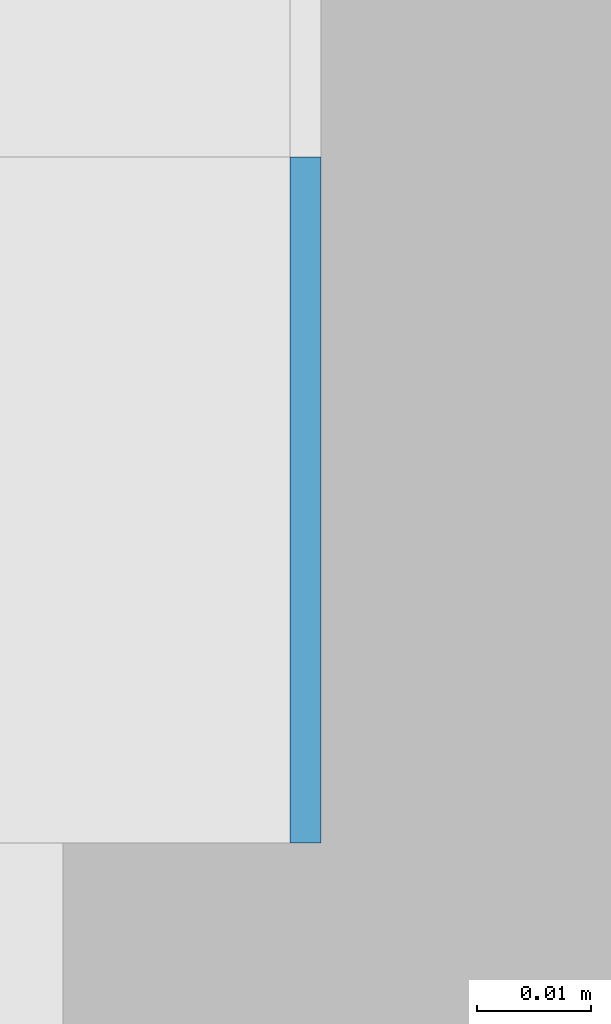
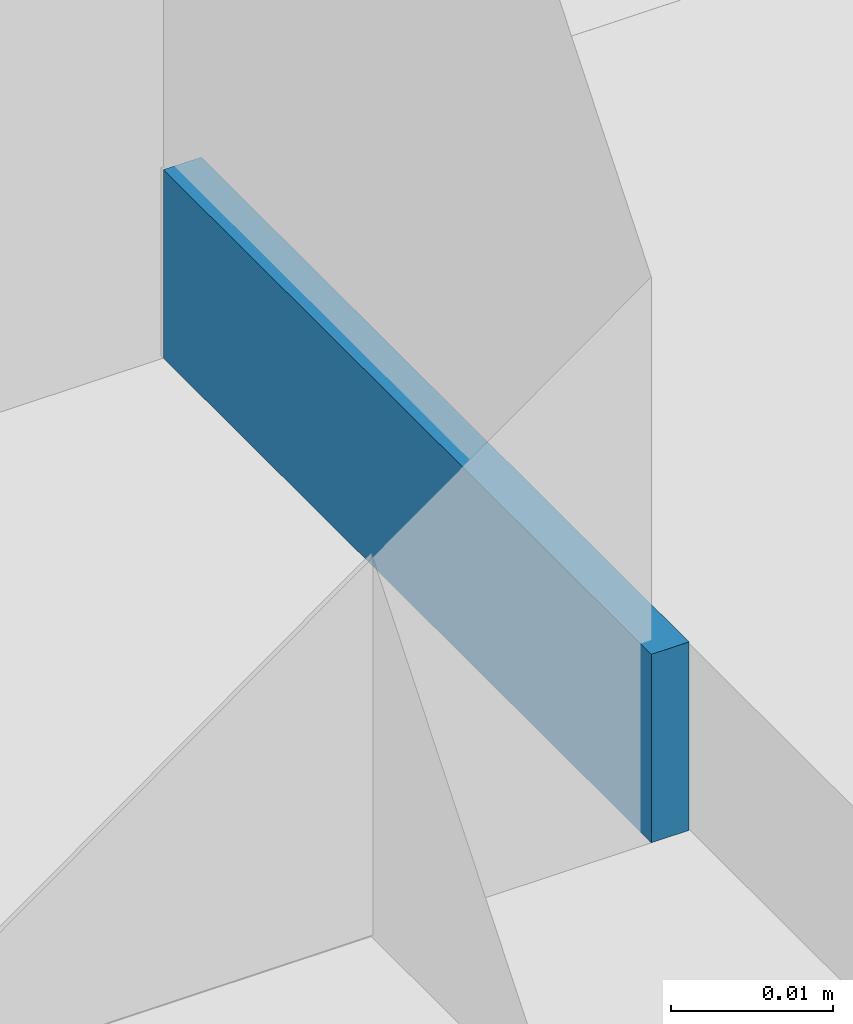
# One storey, part 252 of 646: 1 discrete accessory.
"""IFC4 building model written with IfcOpenShell, lengths in metres."""

from ifc_helpers import new_model, si_unit, direction, frame, origin, origin_2d, place, context, subcontext, project, spatial, rectangle, extrude, material, type_object, element, save


model = new_model("IFC4")

# Units and contexts
model_context = context("Model", 3, precision=1e-05, world=origin(), true_north=direction((0.0, 1.0)))
body_context = subcontext(model_context, "Body", "Model", "MODEL_VIEW")
ifc_project = project(units=[si_unit("LENGTHUNIT", "METRE"), si_unit("AREAUNIT", "SQUARE_METRE"), si_unit("VOLUMEUNIT", "CUBIC_METRE"), si_unit("PLANEANGLEUNIT", "RADIAN"), si_unit("MASSUNIT", "GRAM", prefix="KILO")], contexts=[model_context])

# Site, building, storey
site_placement = place(None, origin())
site = spatial("IfcSite", under=ifc_project, at=site_placement, CompositionType="ELEMENT")
building_placement = place(site_placement, origin())
building = spatial("IfcBuilding", under=site, at=building_placement, Name="Silverbay Arena", CompositionType="ELEMENT")
storey_placement = place(building_placement, frame((0.0, 0.0, 33.5)))
storey = spatial("IfcBuildingStorey", under=building, at=storey_placement, Name="L05", CompositionType="ELEMENT", Elevation=33.5)

# Discrete accessory
ifc_material = material(Name="Steel S355", Category="steel")
discrete_accessory_type = type_object("IfcDiscreteAccessoryType", Name="Steel bracket plate", PredefinedType="BRACKET", material=ifc_material)
discrete_accessory_placement = place(storey_placement, frame((53.871337890625, 35.969970703125, 4.0), z_axis=(0.0, 0.0, 1.0), x_axis=(1.0, 0.0, 0.0)))
element("IfcDiscreteAccessory", 1, at=discrete_accessory_placement, inside=storey, type_object=discrete_accessory_type, Name="Curtain wall packing plate", PredefinedType="BRACKET", context=body_context, shape_type="SweptSolid", body=[
    extrude(rectangle(XDim=0.002685546875, YDim=0.06005859375, at=origin_2d()), origin(), (0.0, 0.0, 1.0), 0.01416015625),
])

save(model, "model.ifc")
